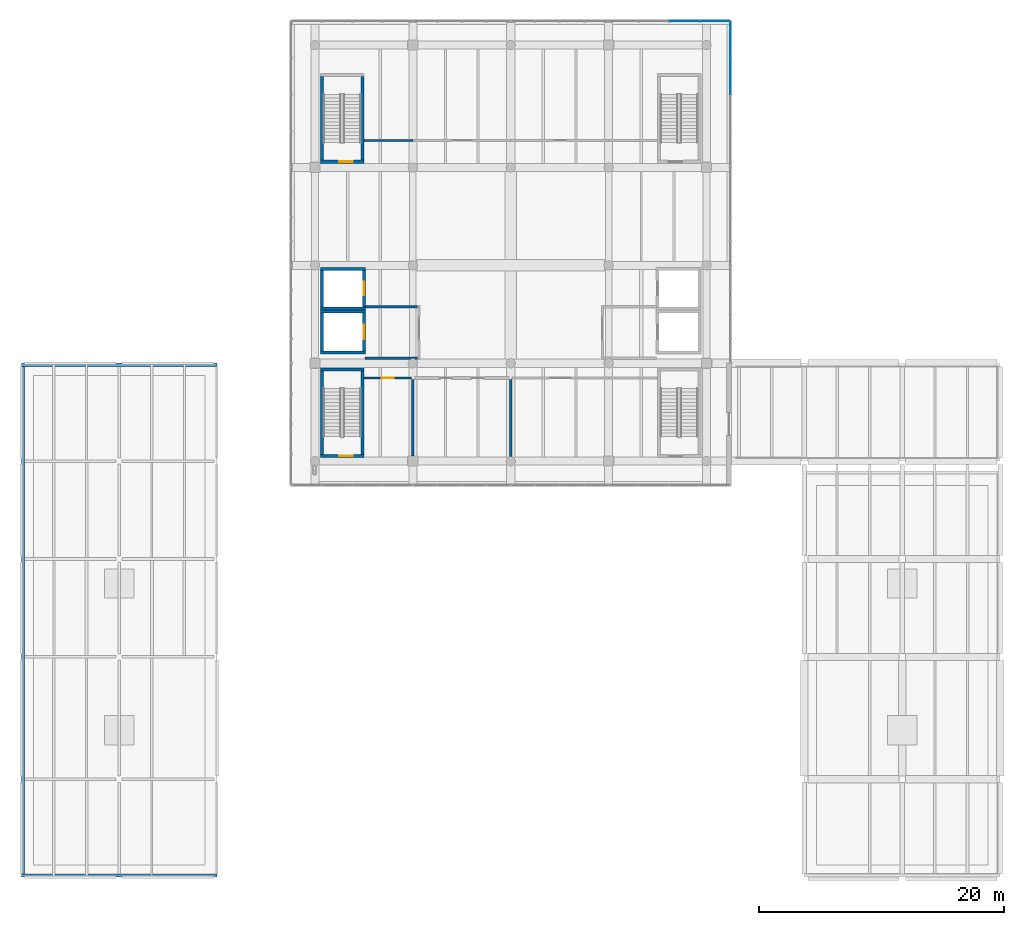
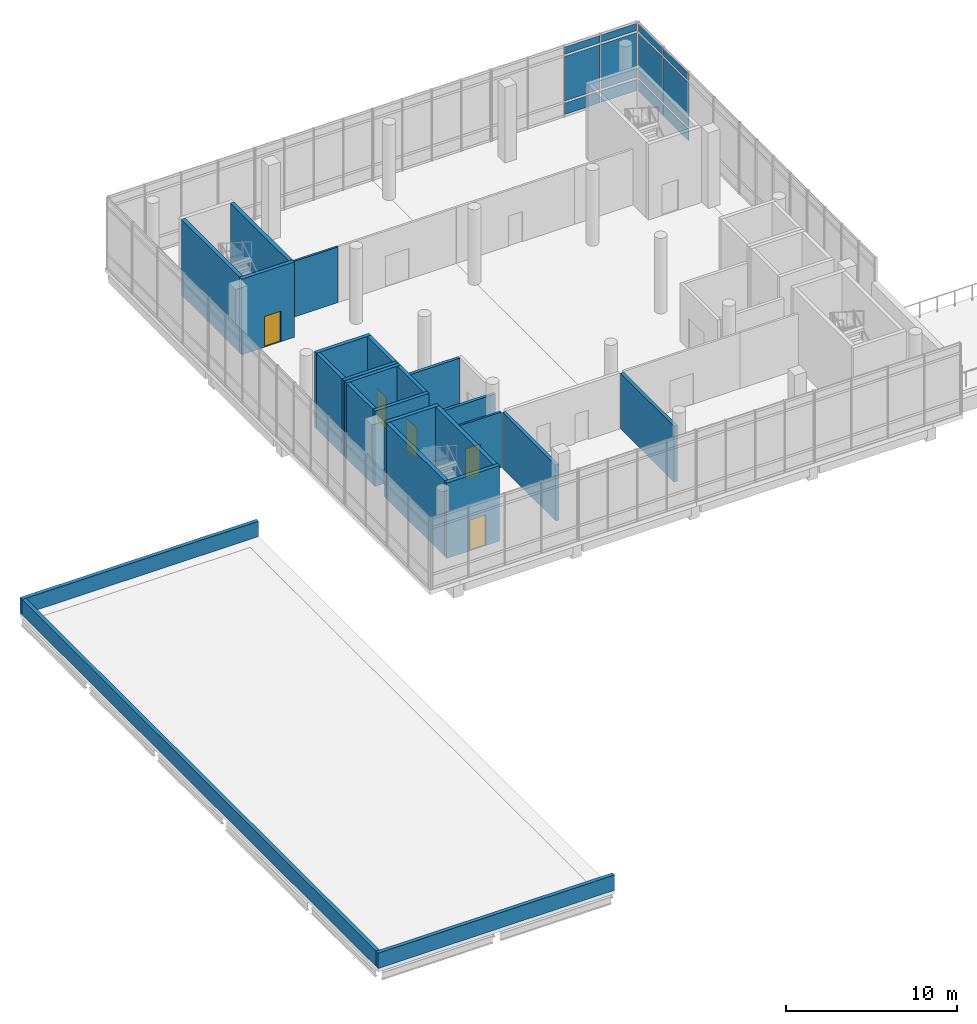
# One storey, part 13 of 20: 24 walls, 12 plates, 5 doors, 5 openings, 2 elements without a shape of their own.
"""IFC4 building model written with IfcOpenShell, lengths in metres."""

from ifc_helpers import new_model, si_unit, direction, frame, frame_2d, origin, origin_2d, place, context, subcontext, project, spatial, rectangle, extrude, material, layer, layer_set, type_object, element, fill, aggregate, save


model = new_model("IFC4")

# Units and contexts
model_context = context("Model", 3, precision=1e-05, world=origin(), true_north=direction((0.0, 1.0)))
body_context = subcontext(model_context, "Body", "Model", "MODEL_VIEW")
ifc_project = project(units=[si_unit("LENGTHUNIT", "METRE"), si_unit("AREAUNIT", "SQUARE_METRE"), si_unit("VOLUMEUNIT", "CUBIC_METRE"), si_unit("PLANEANGLEUNIT", "RADIAN"), si_unit("MASSUNIT", "GRAM", prefix="KILO")], contexts=[model_context])

# Site, building, storey
site_placement = place(None, origin())
site = spatial("IfcSite", under=ifc_project, at=site_placement, CompositionType="ELEMENT")
building_placement = place(site_placement, origin())
building = spatial("IfcBuilding", under=site, at=building_placement, Name="Pecanmere Concourse Central Library", CompositionType="ELEMENT")
storey_placement = place(building_placement, frame((0.0, 0.0, 24.89990234375)))
storey = spatial("IfcBuildingStorey", under=building, at=storey_placement, Name="L06", CompositionType="ELEMENT", Elevation=24.89990234375)

# Curtain wall, plates
ifc_material_1 = material(Name="Anodized bronze aluminium alloy 6063-T6", Category="aluminium")
curtain_wall_type = type_object("IfcCurtainWallType", Name="CW_PLUMB_BANDED", PredefinedType="USERDEFINED", material=ifc_material_1)
curtain_wall_1_placement = place(storey_placement, origin())
curtain_wall_1 = element("IfcCurtainWall", 1, at=curtain_wall_1_placement, inside=storey, type_object=curtain_wall_type, Name="Unitised Curtain Wall CW-02 L06-070", ObjectType="UNITISED CURTAIN WALL", PredefinedType="USERDEFINED")
ifc_material_2 = material(Name="White ceramic-fritted insulated spandrel glazing", Category="glass")
ifc_layer_1 = layer(ifc_material_2, 0.053955078125, Name="CWP_SPN_54")
ifc_layer_set_1 = layer_set([ifc_layer_1], Name="White ceramic-fritted insulated spandrel glazing")
plate_type_1 = type_object("IfcPlateType", Name="CWP_SPN_54", PredefinedType="CURTAIN_PANEL", material=ifc_layer_set_1)
plate_1_placement = place(storey_placement, frame((104.665771484375, 125.96142578125, 0.16015625), z_axis=(0.0, 0.0, 1.0), x_axis=(-1.0, 0.0, 0.0)))
plate_1 = element("IfcPlate", 2, at=plate_1_placement, type_object=plate_type_1, Name="CW-02 Spandrel Panel 1.1", PredefinedType="CURTAIN_PANEL", context=body_context, shape_type="SweptSolid", body=[
    extrude(rectangle(XDim=2.381591796875, YDim=0.035888671875, at=origin_2d()), origin(), (0.0, 0.0, 1.0), 0.81005859375),
])
plate_2_placement = place(storey_placement, frame((102.202880859375, 125.96142578125, 0.16015625), z_axis=(0.0, 0.0, 1.0), x_axis=(-1.0, 0.0, 0.0)))
plate_2 = element("IfcPlate", 3, at=plate_2_placement, type_object=plate_type_1, Name="CW-02 Spandrel Panel 2.1", PredefinedType="CURTAIN_PANEL", context=body_context, shape_type="SweptSolid", body=[
    extrude(rectangle(XDim=2.4140625, YDim=0.035888671875, at=origin_2d()), origin(), (0.0, 0.0, 1.0), 0.81005859375),
])

curtain_wall_2_placement = place(storey_placement, origin())
curtain_wall_2 = element("IfcCurtainWall", 4, at=curtain_wall_2_placement, inside=storey, type_object=curtain_wall_type, Name="Unitised Curtain Wall CW-02 L06-080", ObjectType="UNITISED CURTAIN WALL", PredefinedType="USERDEFINED")
plate_3_placement = place(storey_placement, frame((105.96142578125, 121.452880859375, 0.16015625), z_axis=(0.0, 0.0, 1.0), x_axis=(0.0, 1.0, 0.0)))
plate_3 = element("IfcPlate", 5, at=plate_3_placement, type_object=plate_type_1, Name="CW-02 Spandrel Panel 3.1", PredefinedType="CURTAIN_PANEL", context=body_context, shape_type="SweptSolid", body=[
    extrude(rectangle(XDim=2.9140625, YDim=0.035888671875, at=origin_2d()), origin(), (0.0, 0.0, 1.0), 0.81005859375),
])
plate_4_placement = place(storey_placement, frame((105.96142578125, 124.415771484375, 0.16015625), z_axis=(0.0, 0.0, 1.0), x_axis=(0.0, 1.0, 0.0)))
plate_4 = element("IfcPlate", 6, at=plate_4_placement, type_object=plate_type_1, Name="CW-02 Spandrel Panel 4.1", PredefinedType="CURTAIN_PANEL", context=body_context, shape_type="SweptSolid", body=[
    extrude(rectangle(XDim=2.881591796875, YDim=0.035888671875, at=origin_2d()), origin(), (0.0, 0.0, 1.0), 0.81005859375),
])

# Plate
ifc_material_3 = material(Name="Low-iron clear insulated glazing", Category="glass")
ifc_layer_2 = layer(ifc_material_3, 0.035888671875, Name="CWP_VIS_36")
ifc_layer_set_2 = layer_set([ifc_layer_2], Name="Low-iron clear insulated glazing")
plate_type_2 = type_object("IfcPlateType", Name="CWP_VIS_36", PredefinedType="CURTAIN_PANEL", material=ifc_layer_set_2)
plate_5_placement = place(storey_placement, frame((104.665771484375, 125.96142578125, 1.13037109375), z_axis=(0.0, 0.0, 1.0), x_axis=(-1.0, 0.0, 0.0)))
plate_5 = element("IfcPlate", 7, at=plate_5_placement, type_object=plate_type_2, Name="CW-02 Vision Panel 1.2", PredefinedType="CURTAIN_PANEL", context=body_context, shape_type="SweptSolid", body=[
    extrude(rectangle(XDim=2.381591796875, YDim=0.035888671875, at=origin_2d()), origin(), (0.0, 0.0, 1.0), 3.179931640625),
])

plate_6_placement = place(storey_placement, frame((104.665771484375, 125.96142578125, 4.47021484375), z_axis=(0.0, 0.0, 1.0), x_axis=(-1.0, 0.0, 0.0)))
plate_6 = element("IfcPlate", 8, at=plate_6_placement, type_object=plate_type_2, Name="CW-02 Vision Panel 1.3", PredefinedType="CURTAIN_PANEL", context=body_context, shape_type="SweptSolid", body=[
    extrude(rectangle(XDim=2.381591796875, YDim=0.035888671875, at=origin_2d()), origin(), (0.0, 0.0, 1.0), 0.510009765625),
])

plate_7_placement = place(storey_placement, frame((102.202880859375, 125.96142578125, 1.13037109375), z_axis=(0.0, 0.0, 1.0), x_axis=(-1.0, 0.0, 0.0)))
plate_7 = element("IfcPlate", 9, at=plate_7_placement, type_object=plate_type_2, Name="CW-02 Vision Panel 2.2", PredefinedType="CURTAIN_PANEL", context=body_context, shape_type="SweptSolid", body=[
    extrude(rectangle(XDim=2.4140625, YDim=0.035888671875, at=origin_2d()), origin(), (0.0, 0.0, 1.0), 3.179931640625),
])

plate_8_placement = place(storey_placement, frame((102.202880859375, 125.96142578125, 4.47021484375), z_axis=(0.0, 0.0, 1.0), x_axis=(-1.0, 0.0, 0.0)))
plate_8 = element("IfcPlate", 10, at=plate_8_placement, type_object=plate_type_2, Name="CW-02 Vision Panel 2.3", PredefinedType="CURTAIN_PANEL", context=body_context, shape_type="SweptSolid", body=[
    extrude(rectangle(XDim=2.4140625, YDim=0.035888671875, at=origin_2d()), origin(), (0.0, 0.0, 1.0), 0.510009765625),
])

aggregate(curtain_wall_1, [plate_1, plate_5, plate_6, plate_2, plate_7, plate_8])

plate_9_placement = place(storey_placement, frame((105.96142578125, 121.452880859375, 1.13037109375), z_axis=(0.0, 0.0, 1.0), x_axis=(0.0, 1.0, 0.0)))
plate_9 = element("IfcPlate", 11, at=plate_9_placement, type_object=plate_type_2, Name="CW-02 Vision Panel 3.2", PredefinedType="CURTAIN_PANEL", context=body_context, shape_type="SweptSolid", body=[
    extrude(rectangle(XDim=2.9140625, YDim=0.035888671875, at=origin_2d()), origin(), (0.0, 0.0, 1.0), 3.179931640625),
])

plate_10_placement = place(storey_placement, frame((105.96142578125, 121.452880859375, 4.47021484375), z_axis=(0.0, 0.0, 1.0), x_axis=(0.0, 1.0, 0.0)))
plate_10 = element("IfcPlate", 12, at=plate_10_placement, type_object=plate_type_2, Name="CW-02 Vision Panel 3.3", PredefinedType="CURTAIN_PANEL", context=body_context, shape_type="SweptSolid", body=[
    extrude(rectangle(XDim=2.9140625, YDim=0.035888671875, at=origin_2d()), origin(), (0.0, 0.0, 1.0), 0.510009765625),
])

plate_11_placement = place(storey_placement, frame((105.96142578125, 124.415771484375, 1.13037109375), z_axis=(0.0, 0.0, 1.0), x_axis=(0.0, 1.0, 0.0)))
plate_11 = element("IfcPlate", 13, at=plate_11_placement, type_object=plate_type_2, Name="CW-02 Vision Panel 4.2", PredefinedType="CURTAIN_PANEL", context=body_context, shape_type="SweptSolid", body=[
    extrude(rectangle(XDim=2.881591796875, YDim=0.035888671875, at=origin_2d()), origin(), (0.0, 0.0, 1.0), 3.179931640625),
])

plate_12_placement = place(storey_placement, frame((105.96142578125, 124.415771484375, 4.47021484375), z_axis=(0.0, 0.0, 1.0), x_axis=(0.0, 1.0, 0.0)))
plate_12 = element("IfcPlate", 14, at=plate_12_placement, type_object=plate_type_2, Name="CW-02 Vision Panel 4.3", PredefinedType="CURTAIN_PANEL", context=body_context, shape_type="SweptSolid", body=[
    extrude(rectangle(XDim=2.881591796875, YDim=0.035888671875, at=origin_2d()), origin(), (0.0, 0.0, 1.0), 0.510009765625),
])

aggregate(curtain_wall_2, [plate_3, plate_9, plate_10, plate_4, plate_11, plate_12])

# Wall, opening, door
ifc_material_4 = material(Name="Fire-rated gypsum board on acoustic steel stud", Category="steel")
ifc_layer_3 = layer(ifc_material_4, 0.135009765625, Name="IW_PART_135")
ifc_layer_set_3 = layer_set([ifc_layer_3], Name="Fire-rated gypsum board on acoustic steel stud")
wall_type_1 = type_object("IfcWallType", Name="IW_PART_135", PredefinedType="PARTITIONING", material=ifc_layer_set_3)
wall_1_placement = place(storey_placement, frame((76.030029296875, 96.800048828125, 0.0), z_axis=(0.0, 0.0, 1.0), x_axis=(1.0, 0.0, 0.0)))
wall_1 = element("IfcWall", 15, at=wall_1_placement, inside=storey, type_object=wall_type_1, Name="Interior Partition L06-0219", PredefinedType="PARTITIONING", context=body_context, shape_type="SweptSolid", body=[
    extrude(rectangle(XDim=3.830078125, YDim=0.135009765625, at=frame_2d((1.9150390625, 0.0))), origin(), (0.0, 0.0, 1.0), 3.989990234375),
])
opening_1_placement = place(wall_1_placement, frame((1.4150390625, 0.0, 0.0)))
opening_1 = element("IfcOpeningElement", 16, at=opening_1_placement, cuts=wall_1, Name="Opening DT-03", PredefinedType="OPENING", context=body_context, shape_type="SweptSolid", body=[
    extrude(rectangle(XDim=1.0, YDim=2.14990234375, at=frame_2d((0.5, 1.074951171875))), frame((0.0, 0.07958984375, 0.0), z_axis=(0.0, -1.0, 0.0), x_axis=(1.0, 0.0, 0.0)), (0.0, 0.0, 1.0), 0.158935546875),
])
ifc_material_5 = material(Name="Solid white oak architectural joinery")
door_type_1 = type_object("IfcDoorType", Name="DT-03", OperationType="SINGLE_SWING_LEFT", PredefinedType="DOOR", material=ifc_material_5)
door_1_placement = place(opening_1_placement, frame((1.0, 0.0, 0.0), z_axis=(0.0, 0.0, 1.0), x_axis=(-1.0, 0.0, 0.0)))
door_1 = element("IfcDoor", 17, at=door_1_placement, inside=storey, type_object=door_type_1, Name="D-237", OperationType="SINGLE_SWING_LEFT", OverallHeight=2.14990234375, OverallWidth=1.0, PredefinedType="DOOR", context=body_context, shape_type="SweptSolid", body=[
    extrude(rectangle(XDim=1.0, YDim=2.14990234375, at=frame_2d((0.5, 1.074951171875))), frame((0.0, 0.02490234375, 0.0), z_axis=(0.0, -1.0, 0.0), x_axis=(1.0, 0.0, 0.0)), (0.0, 0.0, 1.0), 0.050048828125),
])
fill(opening_1, door_1)

# Walls
wall_2_placement = place(storey_placement, frame((76.030029296875, 116.199951171875, 0.0), z_axis=(0.0, 0.0, 1.0), x_axis=(1.0, 0.0, 0.0)))
element("IfcWall", 18, at=wall_2_placement, inside=storey, type_object=wall_type_1, Name="Interior Partition L06-0222", PredefinedType="PARTITIONING", context=body_context, shape_type="SweptSolid", body=[
    extrude(rectangle(XDim=3.969970703125, YDim=0.135009765625, at=frame_2d((1.98486328125, 0.0))), origin(), (0.0, 0.0, 1.0), 3.989990234375),
])
ifc_material_6 = material(Name="Fire-rated gypsum board on acoustic steel stud", Category="steel")
ifc_layer_4 = layer(ifc_material_6, 0.199951171875, Name="IW_PART_200")
ifc_layer_set_4 = layer_set([ifc_layer_4], Name="Fire-rated gypsum board on acoustic steel stud")
wall_type_2 = type_object("IfcWallType", Name="IW_PART_200", PredefinedType="PARTITIONING", material=ifc_layer_set_4)
for number, where, z_axis, x_axis, name in (
    (19, (76.10009765625, 98.39990234375, 0.0), (0.0, 0.0, 1.0), (1.0, 0.0, 0.0), "Firefighting Lobby Wall W-L06-S"),
    (20, (76.10009765625, 102.60009765625, 0.0), (0.0, 0.0, 1.0), (1.0, 0.0, 0.0), "Firefighting Lobby Wall W-L06-N"),
):
    element("IfcWall", number, at=place(storey_placement, frame(where, z_axis=z_axis, x_axis=x_axis)), inside=storey, type_object=wall_type_2, Name=name, PredefinedType="PARTITIONING", context=body_context, shape_type="SweptSolid", body=[
        extrude(rectangle(XDim=4.27978515625, YDim=0.199951171875, at=frame_2d((2.139892578125, 0.0))), origin(), (0.0, 0.0, 1.0), 4.16015625),
    ])
ifc_material_7 = material(Name="Concrete masonry unit ASTM C90", Category="masonry")
ifc_layer_5 = layer(ifc_material_7, 0.22509765625, Name="IW_PLUMB_225")
ifc_layer_set_5 = layer_set([ifc_layer_5], Name="Concrete masonry unit ASTM C90")
wall_type_3 = type_object("IfcWallType", Name="IW_PLUMB_225", PredefinedType="PARTITIONING", material=ifc_layer_set_5)
wall_3_placement = place(storey_placement, frame((80.0, 90.409912109375, 0.0), z_axis=(0.0, 0.0, 1.0), x_axis=(0.0, 1.0, 0.0)))
element("IfcWall", 21, at=wall_3_placement, inside=storey, type_object=wall_type_3, Name="Interior Partition L06-0216", PredefinedType="PARTITIONING", context=body_context, shape_type="SweptSolid", body=[
    extrude(rectangle(XDim=6.25, YDim=0.22509765625, at=frame_2d((3.125, 0.0))), origin(), (0.0, 0.0, 1.0), 3.989990234375),
])
wall_4_placement = place(storey_placement, frame((88.0, 90.389892578125, 0.0), z_axis=(0.0, 0.0, 1.0), x_axis=(0.0, 1.0, 0.0)))
element("IfcWall", 22, at=wall_4_placement, inside=storey, type_object=wall_type_3, Name="Interior Partition L06-0217", PredefinedType="PARTITIONING", context=body_context, shape_type="SweptSolid", body=[
    extrude(rectangle(XDim=6.27001953125, YDim=0.22509765625, at=frame_2d((3.135009765625, 0.0))), origin(), (0.0, 0.0, 1.0), 3.989990234375),
])
ifc_material_8 = material(Name="Texas cream limestone ashlar masonry", Category="masonry")
ifc_layer_6 = layer(ifc_material_8, 0.25, Name="PW_PARA_250")
ifc_layer_set_6 = layer_set([ifc_layer_6], Name="Texas cream limestone ashlar masonry")
wall_type_4 = type_object("IfcWallType", Name="PW_PARA_250", PredefinedType="PARAPET", material=ifc_layer_set_6)
wall_5_placement = place(storey_placement, frame((48.0, 56.125, 0.0), z_axis=(0.0, 0.0, 1.0), x_axis=(1.0, 0.0, 0.0)))
element("IfcWall", 23, at=wall_5_placement, inside=storey, type_object=wall_type_4, Name="Limestone Roof Parapet L06-08", PredefinedType="PARAPET", context=body_context, shape_type="SweptSolid", body=[
    extrude(rectangle(XDim=16.0, YDim=0.25, at=frame_2d((8.0, 0.0))), origin(), (0.0, 0.0, 1.0), 1.10009765625),
])
wall_6_placement = place(storey_placement, frame((48.125, 56.25, 0.0), z_axis=(0.0, 0.0, 1.0), x_axis=(0.0, 1.0, 0.0)))
element("IfcWall", 24, at=wall_6_placement, inside=storey, type_object=wall_type_4, Name="Limestone Roof Parapet L06-09", PredefinedType="PARAPET", context=body_context, shape_type="SweptSolid", body=[
    extrude(rectangle(XDim=41.625, YDim=0.25, at=frame_2d((20.8125, 0.0))), origin(), (0.0, 0.0, 1.0), 1.10009765625),
])
wall_7_placement = place(storey_placement, frame((48.0, 97.875, 0.0), z_axis=(0.0, 0.0, 1.0), x_axis=(1.0, 0.0, 0.0)))
element("IfcWall", 25, at=wall_7_placement, inside=storey, type_object=wall_type_4, Name="Limestone Roof Parapet L06-10", PredefinedType="PARAPET", context=body_context, shape_type="SweptSolid", body=[
    extrude(rectangle(XDim=16.0, YDim=0.25, at=frame_2d((8.0, 0.0))), origin(), (0.0, 0.0, 1.0), 1.10009765625),
])
ifc_material_9 = material(Name="Concrete C40/50", Category="concrete")
ifc_layer_7 = layer(ifc_material_9, 0.239990234375, Name="WALL_SLD_240")
ifc_layer_set_7 = layer_set([ifc_layer_7], Name="Concrete C40/50")
wall_type_5 = type_object("IfcWallType", Name="WALL_SLD_240", PredefinedType="SOLIDWALL", material=ifc_layer_set_7)
for number, where, z_axis, x_axis, name in (
    (26, (72.4599609375, 98.8798828125, 0.0), (0.0, 0.0, 1.0), (1.0, 0.0, 0.0), "Hoistway Wall LF-01 L06-S"),
    (27, (72.4599609375, 102.219970703125, 0.0), (0.0, 0.0, 1.0), (1.0, 0.0, 0.0), "Hoistway Wall LF-01 L06-N"),
):
    element("IfcWall", number, at=place(storey_placement, frame(where, z_axis=z_axis, x_axis=x_axis)), inside=storey, type_object=wall_type_5, Name=name, PredefinedType="SOLIDWALL", context=body_context, shape_type="SweptSolid", body=[
        extrude(rectangle(XDim=3.679931640625, YDim=0.239990234375, at=frame_2d((1.83984375, 0.0))), origin(), (0.0, 0.0, 1.0), 5.400146484375),
    ])
wall_8_placement = place(storey_placement, frame((72.580078125, 99.0, 0.0), z_axis=(0.0, 0.0, 1.0), x_axis=(0.0, 1.0, 0.0)))
element("IfcWall", 28, at=wall_8_placement, inside=storey, type_object=wall_type_5, Name="Hoistway Wall LF-01 L06-W", PredefinedType="SOLIDWALL", context=body_context, shape_type="SweptSolid", body=[
    extrude(rectangle(XDim=3.10009765625, YDim=0.239990234375, at=frame_2d((1.550048828125, 0.0))), origin(), (0.0, 0.0, 1.0), 5.400146484375),
])

# Wall, opening, door
wall_9_placement = place(storey_placement, frame((76.02001953125, 99.0, 0.0), z_axis=(0.0, 0.0, 1.0), x_axis=(0.0, 1.0, 0.0)))
wall_9 = element("IfcWall", 29, at=wall_9_placement, inside=storey, type_object=wall_type_5, Name="Hoistway Wall LF-01 L06-E", PredefinedType="SOLIDWALL", context=body_context, shape_type="SweptSolid", body=[
    extrude(rectangle(XDim=3.10009765625, YDim=0.239990234375, at=frame_2d((1.550048828125, 0.0))), origin(), (0.0, 0.0, 1.0), 5.400146484375),
])
opening_2_placement = place(wall_9_placement, frame((0.949951171875, 0.0, 0.0)))
opening_2 = element("IfcOpeningElement", 30, at=opening_2_placement, cuts=wall_9, Name="Opening LD-02", PredefinedType="OPENING", context=body_context, shape_type="SweptSolid", body=[
    extrude(rectangle(XDim=1.199951171875, YDim=2.199951171875, at=frame_2d((0.60009765625, 1.10009765625))), frame((0.0, 0.1318359375, 0.0), z_axis=(0.0, -1.0, 0.0), x_axis=(1.0, 0.0, 0.0)), (0.0, 0.0, 1.0), 0.263916015625),
])
ifc_material_10 = material(Name="Brushed stainless steel Grade 316", Category="steel")
door_type_2 = type_object("IfcDoorType", Name="LD-02", OperationType="DOUBLE_DOOR_SLIDING", PredefinedType="DOOR", material=ifc_material_10)
door_2_placement = place(opening_2_placement, origin())
door_2 = element("IfcDoor", 31, at=door_2_placement, inside=storey, type_object=door_type_2, Name="LD-LF-01-L06", OperationType="DOUBLE_DOOR_SLIDING", OverallHeight=2.199951171875, OverallWidth=1.199951171875, PredefinedType="DOOR", context=body_context, shape_type="SweptSolid", body=[
    extrude(rectangle(XDim=1.199951171875, YDim=2.199951171875, at=frame_2d((0.60009765625, 1.10009765625))), frame((0.0, 0.02490234375, 0.0), z_axis=(0.0, -1.0, 0.0), x_axis=(1.0, 0.0, 0.0)), (0.0, 0.0, 1.0), 0.050048828125),
])
fill(opening_2, door_2)

# Walls
for number, where, z_axis, x_axis, name in (
    (32, (72.4599609375, 102.47998046875, 0.0), (0.0, 0.0, 1.0), (1.0, 0.0, 0.0), "Hoistway Wall LP-01 L06-S"),
    (33, (72.4599609375, 105.719970703125, 0.0), (0.0, 0.0, 1.0), (1.0, 0.0, 0.0), "Hoistway Wall LP-01 L06-N"),
):
    element("IfcWall", number, at=place(storey_placement, frame(where, z_axis=z_axis, x_axis=x_axis)), inside=storey, type_object=wall_type_5, Name=name, PredefinedType="SOLIDWALL", context=body_context, shape_type="SweptSolid", body=[
        extrude(rectangle(XDim=3.679931640625, YDim=0.239990234375, at=frame_2d((1.83984375, 0.0))), origin(), (0.0, 0.0, 1.0), 5.400146484375),
    ])
wall_10_placement = place(storey_placement, frame((72.580078125, 102.60009765625, 0.0), z_axis=(0.0, 0.0, 1.0), x_axis=(0.0, 1.0, 0.0)))
element("IfcWall", 34, at=wall_10_placement, inside=storey, type_object=wall_type_5, Name="Hoistway Wall LP-01 L06-W", PredefinedType="SOLIDWALL", context=body_context, shape_type="SweptSolid", body=[
    extrude(rectangle(XDim=3.0, YDim=0.239990234375, at=frame_2d((1.5, 0.0))), origin(), (0.0, 0.0, 1.0), 5.400146484375),
])

# Wall, opening, door
wall_11_placement = place(storey_placement, frame((76.02001953125, 102.60009765625, 0.0), z_axis=(0.0, 0.0, 1.0), x_axis=(0.0, 1.0, 0.0)))
wall_11 = element("IfcWall", 35, at=wall_11_placement, inside=storey, type_object=wall_type_5, Name="Hoistway Wall LP-01 L06-E", PredefinedType="SOLIDWALL", context=body_context, shape_type="SweptSolid", body=[
    extrude(rectangle(XDim=3.0, YDim=0.239990234375, at=frame_2d((1.5, 0.0))), origin(), (0.0, 0.0, 1.0), 5.400146484375),
])
opening_3_placement = place(wall_11_placement, frame((0.949951171875, 0.0, 0.0)))
opening_3 = element("IfcOpeningElement", 36, at=opening_3_placement, cuts=wall_11, Name="Opening LD-01", PredefinedType="OPENING", context=body_context, shape_type="SweptSolid", body=[
    extrude(rectangle(XDim=1.10009765625, YDim=2.199951171875, at=frame_2d((0.550048828125, 1.10009765625))), frame((0.0, 0.1318359375, 0.0), z_axis=(0.0, -1.0, 0.0), x_axis=(1.0, 0.0, 0.0)), (0.0, 0.0, 1.0), 0.263916015625),
])
ifc_material_11 = material(Name="Brushed stainless steel Grade 316", Category="steel")
door_type_3 = type_object("IfcDoorType", Name="LD-01", OperationType="DOUBLE_DOOR_SLIDING", PredefinedType="DOOR", material=ifc_material_11)
door_3_placement = place(opening_3_placement, origin())
door_3 = element("IfcDoor", 37, at=door_3_placement, inside=storey, type_object=door_type_3, Name="LD-LP-01-L06", OperationType="DOUBLE_DOOR_SLIDING", OverallHeight=2.199951171875, OverallWidth=1.10009765625, PredefinedType="DOOR", context=body_context, shape_type="SweptSolid", body=[
    extrude(rectangle(XDim=1.10009765625, YDim=2.199951171875, at=frame_2d((0.550048828125, 1.10009765625))), frame((0.0, 0.02490234375, 0.0), z_axis=(0.0, -1.0, 0.0), x_axis=(1.0, 0.0, 0.0)), (0.0, 0.0, 1.0), 0.050048828125),
])
fill(opening_3, door_3)

ifc_material_12 = material(Name="Concrete C40/50", Category="concrete")
ifc_layer_8 = layer(ifc_material_12, 0.260009765625, Name="WALL_SLD_260")
ifc_layer_set_8 = layer_set([ifc_layer_8], Name="Concrete C40/50")
wall_type_6 = type_object("IfcWallType", Name="WALL_SLD_260", PredefinedType="SOLIDWALL", material=ifc_layer_set_8)
wall_12_placement = place(storey_placement, frame((72.43994140625, 90.419921875, 0.0), z_axis=(0.0, 0.0, 1.0), x_axis=(1.0, 0.0, 0.0)))
wall_12 = element("IfcWall", 38, at=wall_12_placement, inside=storey, type_object=wall_type_6, Name="Core C1 South Wall L06", PredefinedType="SOLIDWALL", context=body_context, shape_type="SweptSolid", body=[
    extrude(rectangle(XDim=3.580078125, YDim=0.260009765625, at=frame_2d((1.7900390625, 0.0))), origin(), (0.0, 0.0, 1.0), 5.400146484375),
])
opening_4_placement = place(wall_12_placement, frame((1.56005859375, 0.0, 0.0)))
opening_4 = element("IfcOpeningElement", 39, at=opening_4_placement, cuts=wall_12, Name="Opening FD-02", PredefinedType="OPENING", context=body_context, shape_type="SweptSolid", body=[
    extrude(rectangle(XDim=1.10009765625, YDim=2.199951171875, at=frame_2d((0.550048828125, 1.10009765625))), frame((0.0, 0.14208984375, 0.0), z_axis=(0.0, -1.0, 0.0), x_axis=(1.0, 0.0, 0.0)), (0.0, 0.0, 1.0), 0.283935546875),
])
ifc_material_13 = material(Name="Painted architectural steel ASTM A36", Category="steel")
door_type_4 = type_object("IfcDoorType", Name="FD-02", OperationType="SINGLE_SWING_RIGHT", PredefinedType="DOOR", material=ifc_material_13)
door_4_placement = place(opening_4_placement, origin())
door_4 = element("IfcDoor", 40, at=door_4_placement, inside=storey, type_object=door_type_4, Name="D-007", OperationType="SINGLE_SWING_RIGHT", OverallHeight=2.199951171875, OverallWidth=1.10009765625, PredefinedType="DOOR", context=body_context, shape_type="SweptSolid", body=[
    extrude(rectangle(XDim=1.10009765625, YDim=2.199951171875, at=frame_2d((0.550048828125, 1.10009765625))), frame((0.0, 0.02490234375, 0.0), z_axis=(0.0, -1.0, 0.0), x_axis=(1.0, 0.0, 0.0)), (0.0, 0.0, 1.0), 0.050048828125),
])
fill(opening_4, door_4)

# Walls
wall_13_placement = place(storey_placement, frame((72.43994140625, 97.5, 0.0), z_axis=(0.0, 0.0, 1.0), x_axis=(1.0, 0.0, 0.0)))
element("IfcWall", 41, at=wall_13_placement, inside=storey, type_object=wall_type_6, Name="Core C1 North Wall L06", PredefinedType="SOLIDWALL", context=body_context, shape_type="SweptSolid", body=[
    extrude(rectangle(XDim=3.580078125, YDim=0.260009765625, at=frame_2d((1.7900390625, 0.0))), origin(), (0.0, 0.0, 1.0), 5.400146484375),
])
for number, where, z_axis, x_axis, name in (
    (42, (72.570068359375, 90.550048828125, 0.0), (0.0, 0.0, 1.0), (0.0, 1.0, 0.0), "Core C1 W Wall L06"),
    (43, (75.889892578125, 90.550048828125, 0.0), (0.0, 0.0, 1.0), (0.0, 1.0, 0.0), "Core C1 E Wall L06"),
):
    element("IfcWall", number, at=place(storey_placement, frame(where, z_axis=z_axis, x_axis=x_axis)), inside=storey, type_object=wall_type_6, Name=name, PredefinedType="SOLIDWALL", context=body_context, shape_type="SweptSolid", body=[
        extrude(rectangle(XDim=6.820068359375, YDim=0.260009765625, at=frame_2d((3.41015625, 0.0))), origin(), (0.0, 0.0, 1.0), 5.400146484375),
    ])

# Wall, opening, door
wall_14_placement = place(storey_placement, frame((72.43994140625, 114.469970703125, 0.0), z_axis=(0.0, 0.0, 1.0), x_axis=(1.0, 0.0, 0.0)))
wall_14 = element("IfcWall", 44, at=wall_14_placement, inside=storey, type_object=wall_type_6, Name="Core C3 South Wall L06", PredefinedType="SOLIDWALL", context=body_context, shape_type="SweptSolid", body=[
    extrude(rectangle(XDim=3.580078125, YDim=0.260009765625, at=frame_2d((1.7900390625, 0.0))), origin(), (0.0, 0.0, 1.0), 5.400146484375),
])
opening_5_placement = place(wall_14_placement, frame((1.56005859375, 0.0, 0.0)))
opening_5 = element("IfcOpeningElement", 45, at=opening_5_placement, cuts=wall_14, Name="Opening FD-02", PredefinedType="OPENING", context=body_context, shape_type="SweptSolid", body=[
    extrude(rectangle(XDim=1.10009765625, YDim=2.199951171875, at=frame_2d((0.550048828125, 1.10009765625))), frame((0.0, 0.14208984375, 0.0), z_axis=(0.0, -1.0, 0.0), x_axis=(1.0, 0.0, 0.0)), (0.0, 0.0, 1.0), 0.283935546875),
])
door_5_placement = place(opening_5_placement, origin())
door_5 = element("IfcDoor", 46, at=door_5_placement, inside=storey, type_object=door_type_4, Name="D-023", OperationType="SINGLE_SWING_RIGHT", OverallHeight=2.199951171875, OverallWidth=1.10009765625, PredefinedType="DOOR", context=body_context, shape_type="SweptSolid", body=[
    extrude(rectangle(XDim=1.10009765625, YDim=2.199951171875, at=frame_2d((0.550048828125, 1.10009765625))), frame((0.0, 0.02490234375, 0.0), z_axis=(0.0, -1.0, 0.0), x_axis=(1.0, 0.0, 0.0)), (0.0, 0.0, 1.0), 0.050048828125),
])
fill(opening_5, door_5)

# Walls
for number, where, z_axis, x_axis, name in (
    (47, (72.570068359375, 114.60009765625, 0.0), (0.0, 0.0, 1.0), (0.0, 1.0, 0.0), "Core C3 W Wall L06"),
    (48, (75.889892578125, 114.60009765625, 0.0), (0.0, 0.0, 1.0), (0.0, 1.0, 0.0), "Core C3 E Wall L06"),
):
    element("IfcWall", number, at=place(storey_placement, frame(where, z_axis=z_axis, x_axis=x_axis)), inside=storey, type_object=wall_type_6, Name=name, PredefinedType="SOLIDWALL", context=body_context, shape_type="SweptSolid", body=[
        extrude(rectangle(XDim=6.81982421875, YDim=0.260009765625, at=frame_2d((3.409912109375, 0.0))), origin(), (0.0, 0.0, 1.0), 5.400146484375),
    ])

save(model, "model.ifc")
